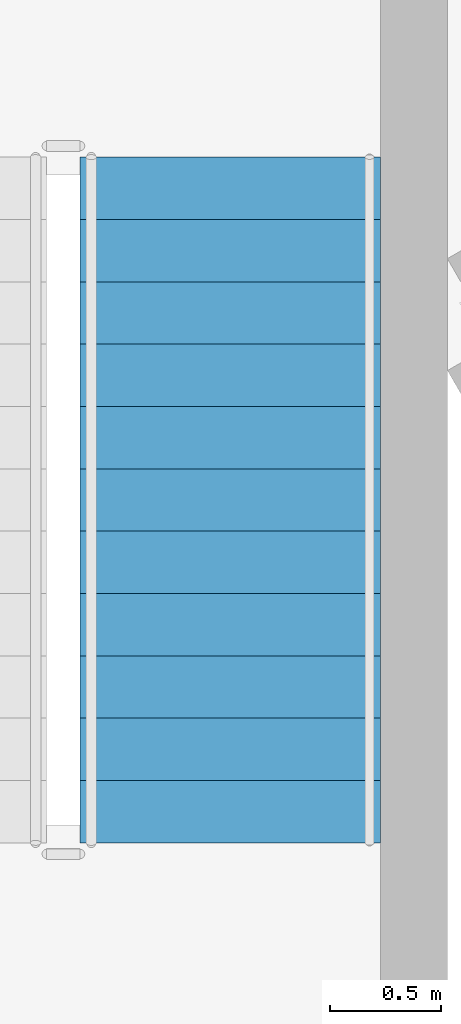
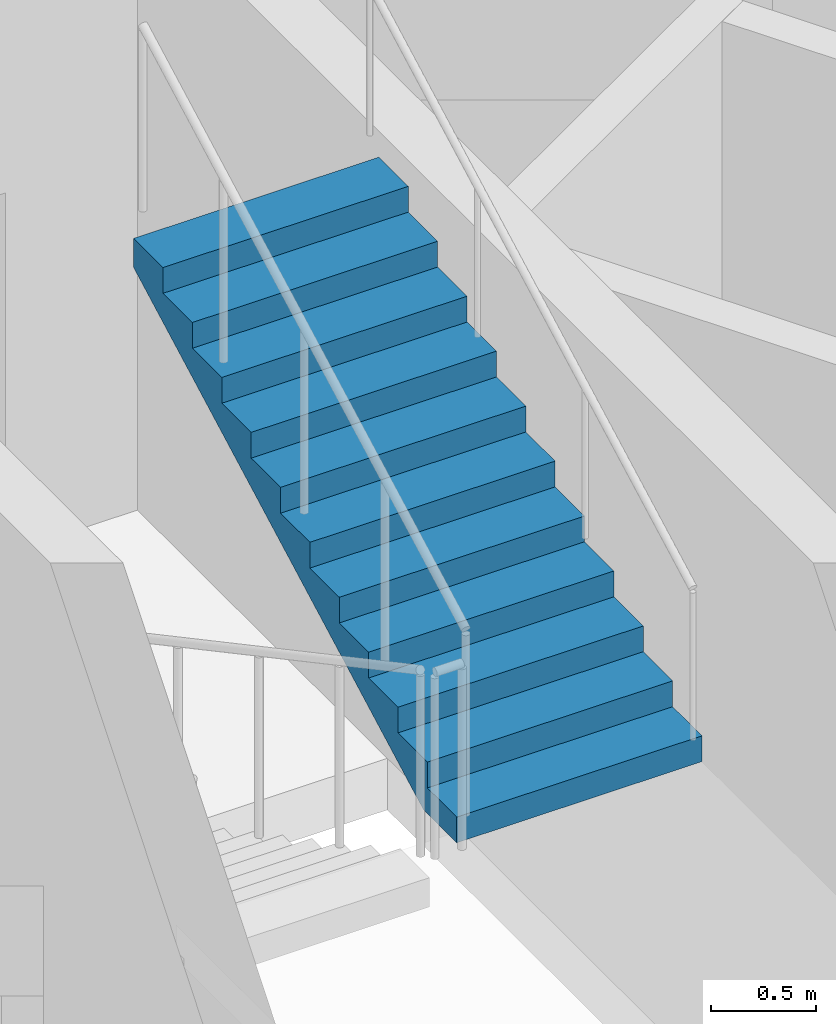
# One storey, part 11 of 18: 1 stair flight, 1 element without a shape of its own.
"""IFC4 building model written with IfcOpenShell, lengths in metres."""

import ifcopenshell
import ifcopenshell.guid

model = None  # the IFC model being written
_history = None  # IfcOwnerHistory: only IFC2X3 demands one
_inside = {}  # id of a spatial element -> (the spatial element, [elements in it])
_under = {}  # id of a project, library or spatial element -> (it, [spatial elements below it])
_declared = {}  # id of a project -> (the project, [libraries it declares])
_typed = {}  # id of a type object -> (the type object, [elements of that type])
_made_of = {}  # id of a material, layer set ... -> (it, [elements and type objects made of it])


def new_model(schema):
    """Start an empty IFC model of exactly this schema.

    Asked for "IFC4X3", IfcOpenShell would pick the latest addendum, in which some entities
    have other attributes; the version numbers below select the first issue.
    IFC2X3 requires an IfcOwnerHistory on every rooted entity: one is made here for all.
    """
    global model, _history
    if schema == "IFC4X3":
        model = ifcopenshell.file(schema_version=(4, 3, 0, 0))
    else:
        model = ifcopenshell.file(schema=schema)
    _inside.clear()
    _under.clear()
    _declared.clear()
    _typed.clear()
    _made_of.clear()
    _history = None
    if model.schema == "IFC2X3":
        org = make("IfcOrganization", Name="unknown")
        user = make(
            "IfcPersonAndOrganization",
            ThePerson=make("IfcPerson", FamilyName="unknown"),
            TheOrganization=org,
        )
        app = make(
            "IfcApplication",
            ApplicationDeveloper=org,
            Version="unknown",
            ApplicationFullName="unknown",
            ApplicationIdentifier="unknown",
        )
        _history = make(
            "IfcOwnerHistory",
            OwningUser=user,
            OwningApplication=app,
            ChangeAction="ADDED",
            CreationDate=0,
        )
    return model


def make(cls, **values):
    """One entity of the class cls with the attributes given. An attribute that is None is left unset."""
    return model.create_entity(
        cls, **{name: value for name, value in values.items() if value is not None}
    )


def rooted(cls, **values):
    """An entity with a GlobalId (a new one), such as an element, a storey or a relation."""
    return make(cls, GlobalId=ifcopenshell.guid.new(), OwnerHistory=_history, **values)


def si_unit(unit_type, name, prefix=None):
    """IfcSIUnit, for example si_unit("LENGTHUNIT", "METRE", prefix="MILLI")."""
    return make("IfcSIUnit", UnitType=unit_type, Prefix=prefix, Name=name)


def assignment(units):
    """IfcUnitAssignment: the units of a project."""
    return None if units is None else make("IfcUnitAssignment", Units=units)


def point(xyz):
    """IfcCartesianPoint."""
    return None if xyz is None else make("IfcCartesianPoint", Coordinates=xyz)


def direction(xyz):
    """IfcDirection."""
    return None if xyz is None else make("IfcDirection", DirectionRatios=xyz)


def frame(location, z_axis=None, x_axis=None):
    """IfcAxis2Placement3D, a coordinate frame: its origin and axes. An axis left out is left unset."""
    return make(
        "IfcAxis2Placement3D",
        Location=point(location),
        Axis=direction(z_axis),
        RefDirection=direction(x_axis),
    )


def origin():
    """The frame at (0, 0, 0) with its axes left unset."""
    return frame((0.0, 0.0, 0.0))


def place(relative_to, where):
    """IfcLocalPlacement: puts the frame where relative to a parent placement (None: the world)."""
    return make(
        "IfcLocalPlacement", PlacementRelTo=relative_to, RelativePlacement=where
    )


def context(
    kind, dimensions, precision=None, world=None, true_north=None, identifier=None
):
    """IfcGeometricRepresentationContext, for example the 3D "Model" context."""
    return make(
        "IfcGeometricRepresentationContext",
        ContextIdentifier=identifier,
        ContextType=kind,
        CoordinateSpaceDimension=dimensions,
        Precision=precision,
        WorldCoordinateSystem=world,
        TrueNorth=true_north,
    )


def subcontext(parent, identifier, kind, view, scale=None):
    """IfcGeometricRepresentationSubContext, for example "Body" below "Model"."""
    return make(
        "IfcGeometricRepresentationSubContext",
        ContextIdentifier=identifier,
        ContextType=kind,
        ParentContext=parent,
        TargetScale=scale,
        TargetView=view,
    )


def project(units=None, contexts=None):
    """IfcProject with its units and contexts."""
    return rooted(
        "IfcProject",
        Name="project",
        RepresentationContexts=contexts,
        UnitsInContext=assignment(units),
    )


def spatial(cls, under=None, at=None, **own):
    """A site, building, storey or space (cls), placed at a placement, below another one or the project."""
    s = rooted(cls, ObjectPlacement=at, **own)
    if under is not None:
        _under.setdefault(under.id(), (under, []))[1].append(s)
    return s


def polyline(points):
    """IfcPolyline through the points."""
    return make("IfcPolyline", Points=[point(p) for p in points])


def outline(outer, holes=None, kind="AREA"):
    """IfcArbitraryClosedProfileDef: a profile drawn as a closed curve; with holes, ...WithVoids."""
    if holes is None:
        return make("IfcArbitraryClosedProfileDef", ProfileType=kind, OuterCurve=outer)
    return make(
        "IfcArbitraryProfileDefWithVoids",
        ProfileType=kind,
        OuterCurve=outer,
        InnerCurves=holes,
    )


def extrude(swept, where, along, depth):
    """IfcExtrudedAreaSolid: the profile swept, set in the frame where, extruded along a direction by depth."""
    return make(
        "IfcExtrudedAreaSolid",
        SweptArea=swept,
        Position=where,
        ExtrudedDirection=direction(along),
        Depth=depth,
    )


def shape(context_of_items, identifier, shape_type, items):
    """IfcShapeRepresentation: the items that make up one representation, for example the "Body"."""
    return make(
        "IfcShapeRepresentation",
        ContextOfItems=context_of_items,
        RepresentationIdentifier=identifier,
        RepresentationType=shape_type,
        Items=items,
    )


def material(Name=None, Category=None):
    """IfcMaterial."""
    return make("IfcMaterial", Name=Name, Category=Category)


def made_of(thing, what):
    """Note that an element or type object is made of a material, layer set ...; save() writes the relation."""
    if what is not None:
        _made_of.setdefault(what.id(), (what, []))[1].append(thing)
    return thing


def type_object(cls, material=None, **own):
    """A type object (cls), such as IfcWallType, which elements share."""
    return made_of(rooted(cls, **own), material)


def element(
    cls,
    number,
    at=None,
    inside=None,
    cuts=None,
    type_object=None,
    material=None,
    context=None,
    identifier="Body",
    shape_type=None,
    held_by="IfcProductDefinitionShape",
    body=None,
    shapes=None,
    **own,
):
    """One element of the class cls, such as IfcWall. Its Tag is "e" and its number.

    at: its placement. inside: the storey or other place that contains it. cuts: it is an
    opening in that element (IfcRelVoidsElement). A single representation is given by context,
    identifier, shape_type and body (its items); several are given by shapes. held_by: the class
    of the entity that holds the representations. save() writes the other relations.
    """
    e = rooted(cls, Tag="e%d" % number, ObjectPlacement=at, **own)
    if body is not None:
        shapes = [shape(context, identifier, shape_type, body)]
    if shapes is not None:
        e.Representation = make(held_by, Representations=shapes)
    if inside is not None:
        _inside.setdefault(inside.id(), (inside, []))[1].append(e)
    if cuts is not None:
        rooted(
            "IfcRelVoidsElement", RelatingBuildingElement=cuts, RelatedOpeningElement=e
        )
    if type_object is not None:
        _typed.setdefault(type_object.id(), (type_object, []))[1].append(e)
    return made_of(e, material)


def aggregate(whole, parts):
    """IfcRelAggregates: a whole, such as a stair, and the parts it consists of."""
    return rooted("IfcRelAggregates", RelatingObject=whole, RelatedObjects=parts)


def save(model, path):
    """Write the relations noted so far, then the file.

    IfcRelAggregates (storeys below a building ...), IfcRelContainedInSpatialStructure (elements
    in a storey), IfcRelDefinesByType, IfcRelAssociatesMaterial and IfcRelDeclares: one each for
    every whole, place, type object, material and project.
    """
    for whole, parts in _under.values():
        aggregate(whole, parts)
    for where, things in _inside.values():
        rooted(
            "IfcRelContainedInSpatialStructure",
            RelatedElements=things,
            RelatingStructure=where,
        )
    for kind, things in _typed.values():
        rooted("IfcRelDefinesByType", RelatedObjects=things, RelatingType=kind)
    for what, things in _made_of.values():
        rooted("IfcRelAssociatesMaterial", RelatedObjects=things, RelatingMaterial=what)
    for by, libraries in _declared.values():
        rooted("IfcRelDeclares", RelatingContext=by, RelatedDefinitions=libraries)
    model.write(path)


model = new_model("IFC4")

# Units and contexts
model_context = context("Model", 3, precision=1e-05, world=origin(), true_north=direction((0.0, 1.0)))
body_context = subcontext(model_context, "Body", "Model", "MODEL_VIEW")
ifc_project = project(units=[si_unit("LENGTHUNIT", "METRE"), si_unit("AREAUNIT", "SQUARE_METRE"), si_unit("VOLUMEUNIT", "CUBIC_METRE"), si_unit("PLANEANGLEUNIT", "RADIAN"), si_unit("MASSUNIT", "GRAM", prefix="KILO")], contexts=[model_context])

# Site, building, storey
site_placement = place(None, origin())
site = spatial("IfcSite", under=ifc_project, at=site_placement, CompositionType="ELEMENT")
building_placement = place(site_placement, origin())
building = spatial("IfcBuilding", under=site, at=building_placement, Name="Trine Commons Tower", CompositionType="ELEMENT")
storey_placement = place(building_placement, frame((0.0, 0.0, 145.800048828125)))
storey = spatial("IfcBuildingStorey", under=building, at=storey_placement, Name="L37", CompositionType="ELEMENT", Elevation=145.800048828125)

# Stair, stair flight
ifc_material = material(Name="Concrete C50/60", Category="concrete")
stair_type = type_object("IfcStairType", Name="Exit stair, dog-leg, 24 risers of 150 mm", PredefinedType="HALF_TURN_STAIR", material=ifc_material)
stair_placement = place(storey_placement, origin())
stair = element("IfcStair", 1, at=stair_placement, inside=storey, type_object=stair_type, Name="L37 Exit stair ST1B", PredefinedType="HALF_TURN_STAIR")
stair_flight_type = type_object("IfcStairFlightType", Name="Stair flight, 1350 wide, 12 risers of 150 mm", PredefinedType="STRAIGHT", material=ifc_material)
stair_flight_placement = place(storey_placement, frame((80.75, 65.490478515625, 1.800048828125), z_axis=(0.0, 0.0, 1.0), x_axis=(0.0, 1.0, 0.0)))
stair_flight = element("IfcStairFlight", 2, at=stair_flight_placement, type_object=stair_flight_type, Name="ST1B flight 2", NumberOfRisers=12, NumberOfTreads=11, PredefinedType="STRAIGHT", RiserHeight=0.15, TreadLength=0.28, context=body_context, shape_type="SweptSolid", body=[
    extrude(outline(polyline([(0.0, 0.0), (0.0, 0.14990234375), (0.280029296875, 0.14990234375), (0.280029296875, 0.300048828125), (0.56005859375, 0.300048828125), (0.56005859375, 0.449951171875), (0.840087890625, 0.449951171875), (0.840087890625, 0.60009765625), (1.1201171875, 0.60009765625), (1.1201171875, 0.75), (1.39990234375, 0.75), (1.39990234375, 0.89990234375), (1.679931640625, 0.89990234375), (1.679931640625, 1.050048828125), (1.9599609375, 1.050048828125), (1.9599609375, 1.199951171875), (2.239990234375, 1.199951171875), (2.239990234375, 1.35009765625), (2.52001953125, 1.35009765625), (2.52001953125, 1.5), (2.800048828125, 1.5), (2.800048828125, 1.64990234375), (3.080078125, 1.64990234375), (3.080078125, 1.800048828125), (3.080078125, 1.47998046875), (0.3173828125, 0.0), (0.0, 0.0)])), frame((0.0, 0.675048828125, 0.0), z_axis=(0.0, -1.0, 0.0), x_axis=(1.0, 0.0, 0.0)), (0.0, 0.0, 1.0), 1.35009765625),
])
aggregate(stair, [stair_flight])

save(model, "model.ifc")
